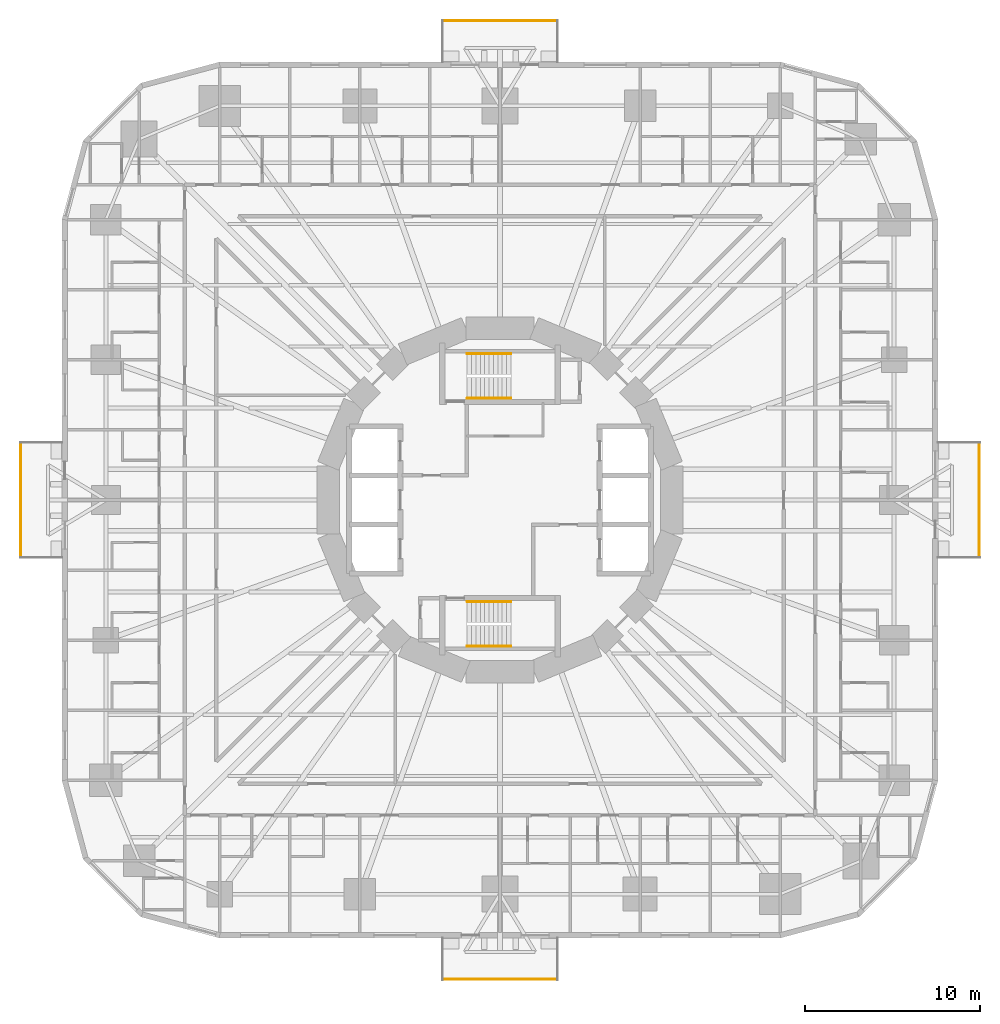
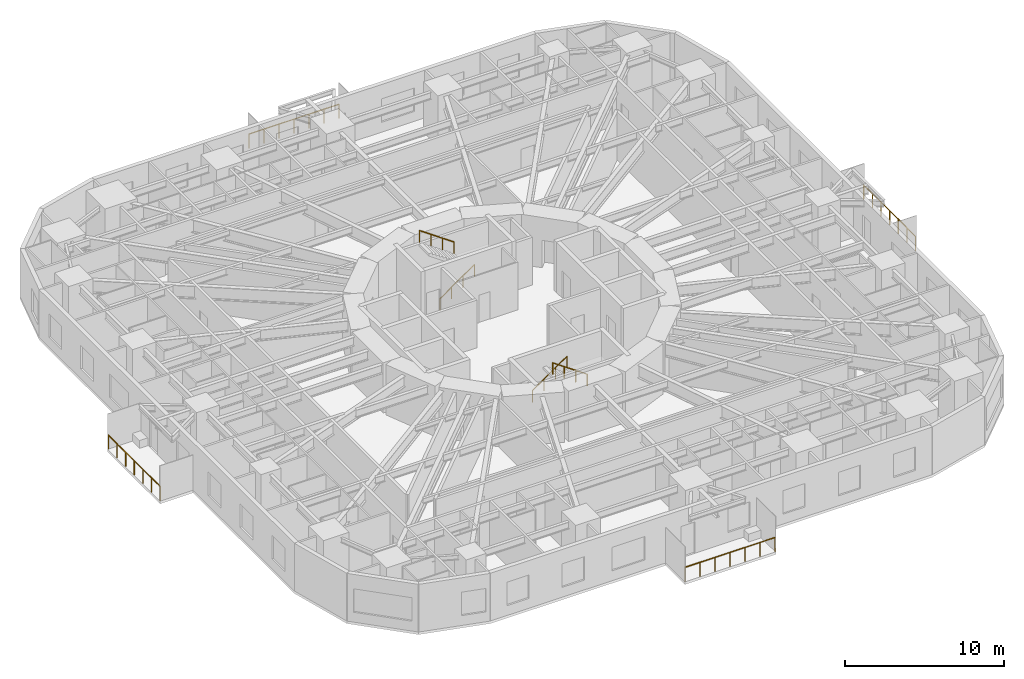
# One storey, part 13 of 14: 8 railings.
"""IFC4 building model written with IfcOpenShell, lengths in metres."""

from ifc_helpers import new_model, si_unit, direction, frame, origin, origin_2d, place, context, subcontext, project, spatial, circle, extrude, material, type_object, element, save


model = new_model("IFC4")

# Units and contexts
model_context = context("Model", 3, precision=1e-05, world=origin(), true_north=direction((0.0, 1.0)))
body_context = subcontext(model_context, "Body", "Model", "MODEL_VIEW")
ifc_project = project(units=[si_unit("LENGTHUNIT", "METRE"), si_unit("AREAUNIT", "SQUARE_METRE"), si_unit("VOLUMEUNIT", "CUBIC_METRE"), si_unit("PLANEANGLEUNIT", "RADIAN"), si_unit("MASSUNIT", "GRAM", prefix="KILO")], contexts=[model_context])

# Site, building, storey
site_placement = place(None, origin())
site = spatial("IfcSite", under=ifc_project, at=site_placement, CompositionType="ELEMENT")
building_placement = place(site_placement, origin())
building = spatial("IfcBuilding", under=site, at=building_placement, Name="Nakasero Lantern House", CompositionType="ELEMENT")
storey_placement = place(building_placement, frame((0.0, 0.0, 19.85009765625)))
storey = spatial("IfcBuildingStorey", under=building, at=storey_placement, Name="L04", CompositionType="ELEMENT", Elevation=19.85009765625)

# Railings
ifc_material_1 = material(Name="Aluminium 6063-T6", Category="aluminium")
railing_type_1 = type_object("IfcRailingType", Name="Balcony guard 1100", PredefinedType="BALUSTRADE", material=ifc_material_1)
railing_1_placement = place(storey_placement, frame((27.35009765625, -3.260009765625, 0.0)))
element("IfcRailing", 1, at=railing_1_placement, inside=storey, type_object=railing_type_1, Name="Balcony guard L04 BAL0", PredefinedType="BALUSTRADE", context=body_context, shape_type="SweptSolid", body=[
    extrude(circle(Radius=0.02392578125, at=origin_2d()), frame((0.0, 0.0, 1.076171875), z_axis=(0.0, 1.0, 0.0), x_axis=(-1.0, 0.0, 0.0)), (0.0, 0.0, 1.0), 6.52001953125),
    extrude(circle(Radius=0.02099609375, at=origin_2d()), origin(), (0.0, 0.0, 1.0), 1.052001953125),
    extrude(circle(Radius=0.02099609375, at=origin_2d()), frame((0.0, 1.086669921875, 0.0)), (0.0, 0.0, 1.0), 1.052001953125),
    extrude(circle(Radius=0.02099609375, at=origin_2d()), frame((0.0, 2.17333984375, 0.0)), (0.0, 0.0, 1.0), 1.052001953125),
    extrude(circle(Radius=0.02099609375, at=origin_2d()), frame((0.0, 3.260009765625, 0.0)), (0.0, 0.0, 1.0), 1.052001953125),
    extrude(circle(Radius=0.02099609375, at=origin_2d()), frame((0.0, 4.3466796875, 0.0)), (0.0, 0.0, 1.0), 1.052001953125),
    extrude(circle(Radius=0.02099609375, at=origin_2d()), frame((0.0, 5.433349609375, 0.0)), (0.0, 0.0, 1.0), 1.052001953125),
    extrude(circle(Radius=0.02099609375, at=origin_2d()), frame((0.0, 6.52001953125, 0.0)), (0.0, 0.0, 1.0), 1.052001953125),
])
railing_2_placement = place(storey_placement, frame((3.260009765625, 27.35009765625, 0.0)))
element("IfcRailing", 2, at=railing_2_placement, inside=storey, type_object=railing_type_1, Name="Balcony guard L04 BAL1", PredefinedType="BALUSTRADE", context=body_context, shape_type="SweptSolid", body=[
    extrude(circle(Radius=0.02392578125, at=origin_2d()), frame((0.0, 0.0, 1.076171875), z_axis=(-1.0, 0.0, 0.0), x_axis=(0.0, -1.0, 0.0)), (0.0, 0.0, 1.0), 6.52001953125),
    extrude(circle(Radius=0.02099609375, at=origin_2d()), origin(), (0.0, 0.0, 1.0), 1.052001953125),
    extrude(circle(Radius=0.02099609375, at=origin_2d()), frame((-1.086669921875, 0.0, 0.0)), (0.0, 0.0, 1.0), 1.052001953125),
    extrude(circle(Radius=0.02099609375, at=origin_2d()), frame((-2.17333984375, 0.0, 0.0)), (0.0, 0.0, 1.0), 1.052001953125),
    extrude(circle(Radius=0.02099609375, at=origin_2d()), frame((-3.260009765625, 0.0, 0.0)), (0.0, 0.0, 1.0), 1.052001953125),
    extrude(circle(Radius=0.02099609375, at=origin_2d()), frame((-4.3466796875, 0.0, 0.0)), (0.0, 0.0, 1.0), 1.052001953125),
    extrude(circle(Radius=0.02099609375, at=origin_2d()), frame((-5.433349609375, 0.0, 0.0)), (0.0, 0.0, 1.0), 1.052001953125),
    extrude(circle(Radius=0.02099609375, at=origin_2d()), frame((-6.52001953125, 0.0, 0.0)), (0.0, 0.0, 1.0), 1.052001953125),
])
railing_3_placement = place(storey_placement, frame((-27.35009765625, 3.260009765625, 0.0)))
element("IfcRailing", 3, at=railing_3_placement, inside=storey, type_object=railing_type_1, Name="Balcony guard L04 BAL2", PredefinedType="BALUSTRADE", context=body_context, shape_type="SweptSolid", body=[
    extrude(circle(Radius=0.02392578125, at=origin_2d()), frame((0.0, 0.0, 1.076171875), z_axis=(0.0, -1.0, 0.0), x_axis=(1.0, 0.0, 0.0)), (0.0, 0.0, 1.0), 6.52001953125),
    extrude(circle(Radius=0.02099609375, at=origin_2d()), origin(), (0.0, 0.0, 1.0), 1.052001953125),
    extrude(circle(Radius=0.02099609375, at=origin_2d()), frame((0.0, -1.086669921875, 0.0)), (0.0, 0.0, 1.0), 1.052001953125),
    extrude(circle(Radius=0.02099609375, at=origin_2d()), frame((0.0, -2.17333984375, 0.0)), (0.0, 0.0, 1.0), 1.052001953125),
    extrude(circle(Radius=0.02099609375, at=origin_2d()), frame((0.0, -3.260009765625, 0.0)), (0.0, 0.0, 1.0), 1.052001953125),
    extrude(circle(Radius=0.02099609375, at=origin_2d()), frame((0.0, -4.3466796875, 0.0)), (0.0, 0.0, 1.0), 1.052001953125),
    extrude(circle(Radius=0.02099609375, at=origin_2d()), frame((0.0, -5.433349609375, 0.0)), (0.0, 0.0, 1.0), 1.052001953125),
    extrude(circle(Radius=0.02099609375, at=origin_2d()), frame((0.0, -6.52001953125, 0.0)), (0.0, 0.0, 1.0), 1.052001953125),
])
railing_4_placement = place(storey_placement, frame((-3.260009765625, -27.35009765625, 0.0)))
element("IfcRailing", 4, at=railing_4_placement, inside=storey, type_object=railing_type_1, Name="Balcony guard L04 BAL3", PredefinedType="BALUSTRADE", context=body_context, shape_type="SweptSolid", body=[
    extrude(circle(Radius=0.02392578125, at=origin_2d()), frame((0.0, 0.0, 1.076171875), z_axis=(1.0, 0.0, 0.0), x_axis=(0.0, 1.0, 0.0)), (0.0, 0.0, 1.0), 6.52001953125),
    extrude(circle(Radius=0.02099609375, at=origin_2d()), origin(), (0.0, 0.0, 1.0), 1.052001953125),
    extrude(circle(Radius=0.02099609375, at=origin_2d()), frame((1.086669921875, 0.0, 0.0)), (0.0, 0.0, 1.0), 1.052001953125),
    extrude(circle(Radius=0.02099609375, at=origin_2d()), frame((2.17333984375, 0.0, 0.0)), (0.0, 0.0, 1.0), 1.052001953125),
    extrude(circle(Radius=0.02099609375, at=origin_2d()), frame((3.260009765625, 0.0, 0.0)), (0.0, 0.0, 1.0), 1.052001953125),
    extrude(circle(Radius=0.02099609375, at=origin_2d()), frame((4.3466796875, 0.0, 0.0)), (0.0, 0.0, 1.0), 1.052001953125),
    extrude(circle(Radius=0.02099609375, at=origin_2d()), frame((5.433349609375, 0.0, 0.0)), (0.0, 0.0, 1.0), 1.052001953125),
    extrude(circle(Radius=0.02099609375, at=origin_2d()), frame((6.52001953125, 0.0, 0.0)), (0.0, 0.0, 1.0), 1.052001953125),
])
ifc_material_2 = material(Name="Stainless steel 316", Category="steel")
railing_type_2 = type_object("IfcRailingType", Name="Stair handrail 900", PredefinedType="HANDRAIL", material=ifc_material_2)
railing_5_placement = place(storey_placement, frame((-1.875, 5.800048828125, 0.1748046875)))
element("IfcRailing", 5, at=railing_5_placement, inside=storey, type_object=railing_type_2, Name="Handrail ST1 L04 flight 1", PredefinedType="HANDRAIL", context=body_context, shape_type="SweptSolid", body=[
    extrude(circle(Radius=0.02392578125, at=origin_2d()), frame((0.0, 0.0, 0.8759765625), z_axis=(0.819231920519, 0.0, 0.573462344363), x_axis=(0.0, 1.0, 0.0)), (0.0, 0.0, 1.0), 3.0517578125),
    extrude(circle(Radius=0.02099609375, at=origin_2d()), origin(), (0.0, 0.0, 1.0), 0.851806640625),
    extrude(circle(Radius=0.02099609375, at=origin_2d()), frame((0.833251953125, 0.0, 0.583251953125)), (0.0, 0.0, 1.0), 0.851806640625),
    extrude(circle(Radius=0.02099609375, at=origin_2d()), frame((1.666748046875, 0.0, 1.166748046875)), (0.0, 0.0, 1.0), 0.851806640625),
    extrude(circle(Radius=0.02099609375, at=origin_2d()), frame((2.5, 0.0, 1.75)), (0.0, 0.0, 1.0), 0.851806640625),
])
railing_6_placement = place(storey_placement, frame((0.625, 8.35009765625, 2.099853515625)))
element("IfcRailing", 6, at=railing_6_placement, inside=storey, type_object=railing_type_2, Name="Handrail ST1 L04 flight 2", PredefinedType="HANDRAIL", context=body_context, shape_type="SweptSolid", body=[
    extrude(circle(Radius=0.02392578125, at=origin_2d()), frame((0.0, 0.0, 0.8759765625), z_axis=(-0.819231920519, 0.0, 0.573462344363), x_axis=(0.0, -1.0, 0.0)), (0.0, 0.0, 1.0), 3.0517578125),
    extrude(circle(Radius=0.02099609375, at=origin_2d()), origin(), (0.0, 0.0, 1.0), 0.851806640625),
    extrude(circle(Radius=0.02099609375, at=origin_2d()), frame((-0.833251953125, 0.0, 0.583251953125)), (0.0, 0.0, 1.0), 0.851806640625),
    extrude(circle(Radius=0.02099609375, at=origin_2d()), frame((-1.666748046875, 0.0, 1.166748046875)), (0.0, 0.0, 1.0), 0.851806640625),
    extrude(circle(Radius=0.02099609375, at=origin_2d()), frame((-2.5, 0.0, 1.75)), (0.0, 0.0, 1.0), 0.851806640625),
])
railing_7_placement = place(storey_placement, frame((-1.875, -5.800048828125, 0.1748046875)))
element("IfcRailing", 7, at=railing_7_placement, inside=storey, type_object=railing_type_2, Name="Handrail ST2 L04 flight 1", PredefinedType="HANDRAIL", context=body_context, shape_type="SweptSolid", body=[
    extrude(circle(Radius=0.02392578125, at=origin_2d()), frame((0.0, 0.0, 0.8759765625), z_axis=(0.819231920519, 0.0, 0.573462344363), x_axis=(0.0, 1.0, 0.0)), (0.0, 0.0, 1.0), 3.0517578125),
    extrude(circle(Radius=0.02099609375, at=origin_2d()), origin(), (0.0, 0.0, 1.0), 0.851806640625),
    extrude(circle(Radius=0.02099609375, at=origin_2d()), frame((0.833251953125, 0.0, 0.583251953125)), (0.0, 0.0, 1.0), 0.851806640625),
    extrude(circle(Radius=0.02099609375, at=origin_2d()), frame((1.666748046875, 0.0, 1.166748046875)), (0.0, 0.0, 1.0), 0.851806640625),
    extrude(circle(Radius=0.02099609375, at=origin_2d()), frame((2.5, 0.0, 1.75)), (0.0, 0.0, 1.0), 0.851806640625),
])
railing_8_placement = place(storey_placement, frame((0.625, -8.35009765625, 2.099853515625)))
element("IfcRailing", 8, at=railing_8_placement, inside=storey, type_object=railing_type_2, Name="Handrail ST2 L04 flight 2", PredefinedType="HANDRAIL", context=body_context, shape_type="SweptSolid", body=[
    extrude(circle(Radius=0.02392578125, at=origin_2d()), frame((0.0, 0.0, 0.8759765625), z_axis=(-0.819231920519, 0.0, 0.573462344363), x_axis=(0.0, -1.0, 0.0)), (0.0, 0.0, 1.0), 3.0517578125),
    extrude(circle(Radius=0.02099609375, at=origin_2d()), origin(), (0.0, 0.0, 1.0), 0.851806640625),
    extrude(circle(Radius=0.02099609375, at=origin_2d()), frame((-0.833251953125, 0.0, 0.583251953125)), (0.0, 0.0, 1.0), 0.851806640625),
    extrude(circle(Radius=0.02099609375, at=origin_2d()), frame((-1.666748046875, 0.0, 1.166748046875)), (0.0, 0.0, 1.0), 0.851806640625),
    extrude(circle(Radius=0.02099609375, at=origin_2d()), frame((-2.5, 0.0, 1.75)), (0.0, 0.0, 1.0), 0.851806640625),
])

save(model, "model.ifc")
